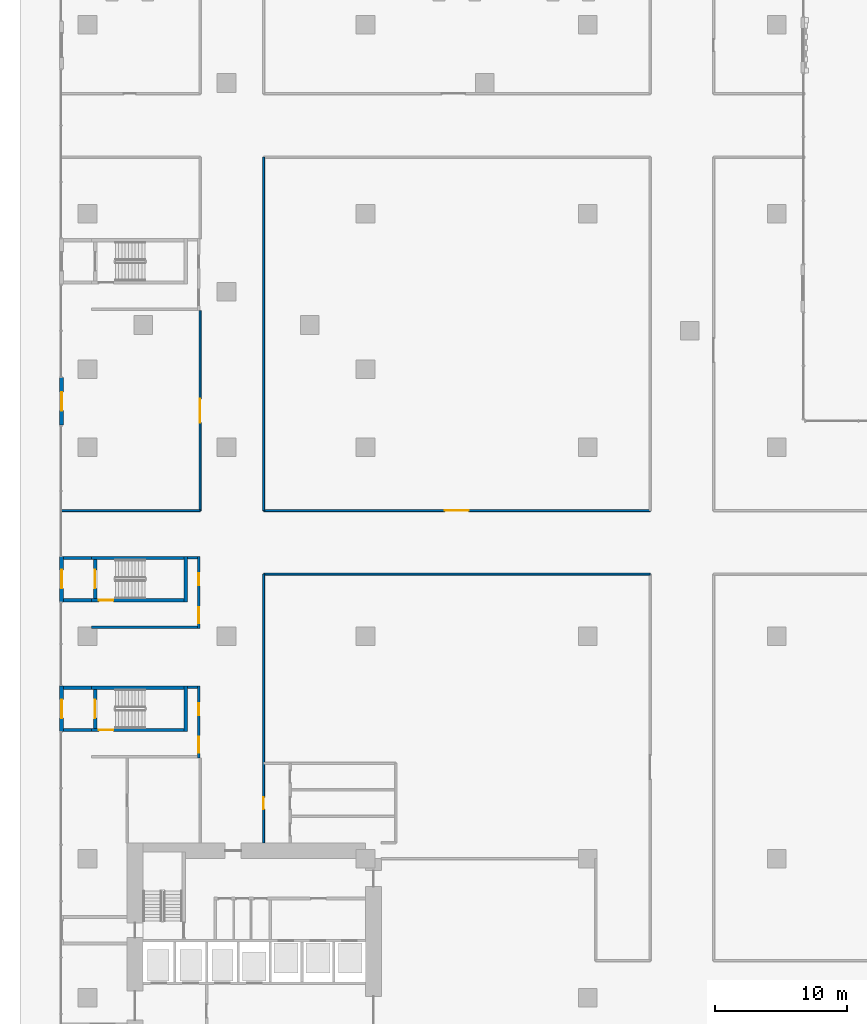
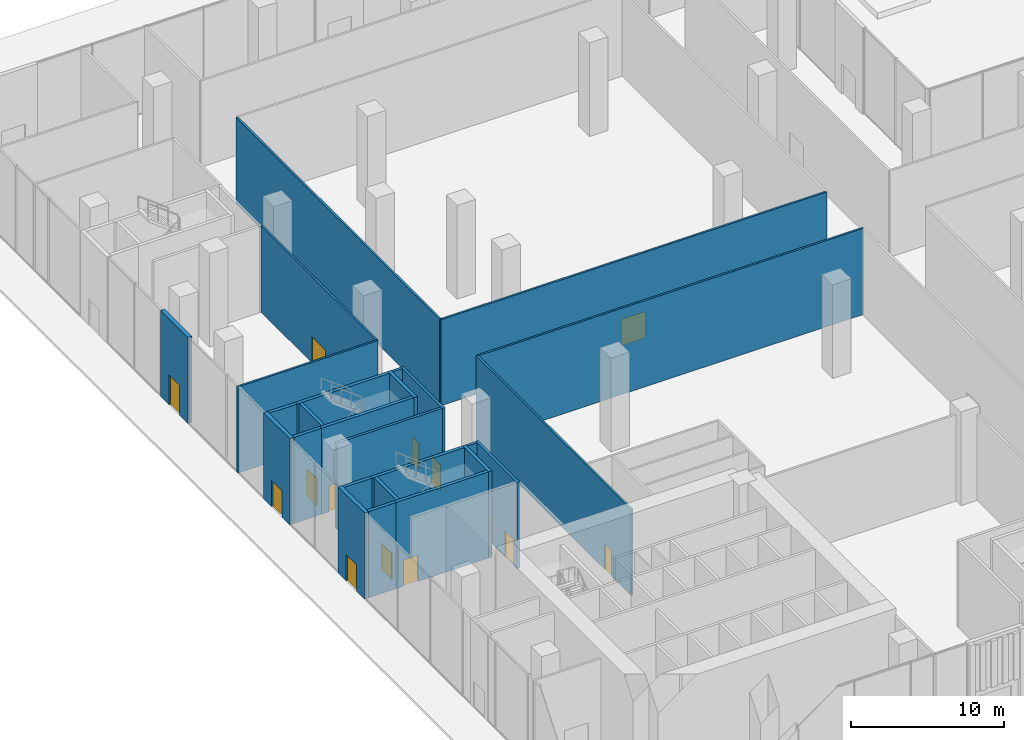
# One storey, part 16 of 26: 26 walls, 14 doors, 14 openings.
"""IFC4 building model written with IfcOpenShell, lengths in metres."""

from ifc_helpers import new_model, si_unit, direction, frame, frame_2d, origin, place, context, subcontext, project, spatial, rectangle, extrude, source, transform, mapped, material, layer, layer_set, type_object, element, fill, save


model = new_model("IFC4")

# Units and contexts
model_context = context("Model", 3, precision=1e-05, world=origin(), true_north=direction((0.0, 1.0)))
body_context = subcontext(model_context, "Body", "Model", "MODEL_VIEW")
ifc_project = project(units=[si_unit("LENGTHUNIT", "METRE"), si_unit("AREAUNIT", "SQUARE_METRE"), si_unit("VOLUMEUNIT", "CUBIC_METRE"), si_unit("PLANEANGLEUNIT", "RADIAN"), si_unit("MASSUNIT", "GRAM", prefix="KILO")], contexts=[model_context])

# Site, building, storey
site_placement = place(None, origin())
site = spatial("IfcSite", under=ifc_project, at=site_placement, CompositionType="ELEMENT")
building_placement = place(site_placement, origin())
building = spatial("IfcBuilding", under=site, at=building_placement, Name="Aurelian Terraces", CompositionType="ELEMENT")
storey_placement = place(building_placement, origin())
storey = spatial("IfcBuildingStorey", under=building, at=storey_placement, Name="L00", CompositionType="ELEMENT", Elevation=0.0)

# Walls
ifc_material_1 = material(Name="Gypsum board on steel studs", Category="steel")
ifc_layer_1 = layer(ifc_material_1, 0.15)
ifc_layer_set_1 = layer_set([ifc_layer_1], Name="Special partition 150")
wall_type_1 = type_object("IfcWallType", Name="Special partition 150", PredefinedType="PARTITIONING", material=ifc_layer_set_1)
wall_1_placement = place(storey_placement, frame((13.3, 42.5, 0.0), z_axis=(0.0, 0.0, 1.0), x_axis=(1.0, 0.0, 0.0)))
element("IfcWall", 1, at=wall_1_placement, inside=storey, type_object=wall_type_1, Name="L00 partition W13", PredefinedType="PARTITIONING", context=body_context, shape_type="SweptSolid", body=[
    extrude(rectangle(XDim=29.2, YDim=0.15, at=frame_2d((14.6, 0.0))), origin(), (0.0, 0.0, 1.0), 6.9),
])
wall_2_placement = place(storey_placement, frame((-2.1, 47.3, 0.0), z_axis=(0.0, 0.0, 1.0), x_axis=(1.0, 0.0, 0.0)))
element("IfcWall", 2, at=wall_2_placement, inside=storey, type_object=wall_type_1, Name="L00 partition W16", PredefinedType="PARTITIONING", context=body_context, shape_type="SweptSolid", body=[
    extrude(rectangle(XDim=10.6, YDim=0.15, at=frame_2d((5.3, 0.0))), origin(), (0.0, 0.0, 1.0), 6.9),
])

# Wall, opening, door
wall_3_placement = place(storey_placement, frame((8.5, 47.3, 0.0), z_axis=(0.0, 0.0, 1.0), x_axis=(0.0, 1.0, 0.0)))
wall_3 = element("IfcWall", 3, at=wall_3_placement, inside=storey, type_object=wall_type_1, Name="L00 partition W27", PredefinedType="PARTITIONING", context=body_context, shape_type="SweptSolid", body=[
    extrude(rectangle(XDim=15.1, YDim=0.15, at=frame_2d((7.55, 0.0))), origin(), (0.0, 0.0, 1.0), 6.9),
])
shared_shape_1 = source(origin(), body_context, "Body", "SweptSolid", [
    extrude(rectangle(XDim=1.8, YDim=2.1, at=frame_2d((0.9, 1.05))), frame((0.0, 0.085, 0.0), z_axis=(0.0, -1.0, 0.0), x_axis=(1.0, 0.0, 0.0)), (0.0, 0.0, 1.0), 0.17),
])
opening_1_placement = place(wall_3_placement, frame((6.65, 0.0, 0.0)))
opening_1 = element("IfcOpeningElement", 4, at=opening_1_placement, cuts=wall_3, Name="Opening 70307", PredefinedType="OPENING", context=body_context, shape_type="MappedRepresentation", body=[
    mapped(shared_shape_1, transform((0.0, 0.0, 0.0), scale=1.0)),
])
ifc_material_2 = material(Name="Timber door leaf", Category="wood")
door_type_1 = type_object("IfcDoorType", Name="Special double door 1800x2100", OperationType="DOUBLE_DOOR_SINGLE_SWING", PredefinedType="DOOR", material=ifc_material_2)
shared_shape_2 = source(origin(), body_context, "Body", "SweptSolid", [
    extrude(rectangle(XDim=1.8, YDim=2.1, at=frame_2d((0.9, 1.05))), frame((0.0, 0.025, 0.0), z_axis=(0.0, -1.0, 0.0), x_axis=(1.0, 0.0, 0.0)), (0.0, 0.0, 1.0), 0.05),
])
door_1_placement = place(opening_1_placement, origin())
door_1 = element("IfcDoor", 5, at=door_1_placement, inside=storey, type_object=door_type_1, Name="Door 70307", OperationType="DOUBLE_DOOR_SINGLE_SWING", OverallHeight=2.1, OverallWidth=1.8, PredefinedType="DOOR", context=body_context, shape_type="MappedRepresentation", body=[
    mapped(shared_shape_2, transform((0.0, 0.0, 0.0), scale=1.0)),
])
fill(opening_1, door_1)

wall_4_placement = place(storey_placement, frame((13.3, 22.2, 0.0), z_axis=(0.0, 0.0, 1.0), x_axis=(0.0, 1.0, 0.0)))
wall_4 = element("IfcWall", 6, at=wall_4_placement, inside=storey, type_object=wall_type_1, Name="L00 partition W30", PredefinedType="PARTITIONING", context=body_context, shape_type="SweptSolid", body=[
    extrude(rectangle(XDim=20.3, YDim=0.15, at=frame_2d((10.15, 0.0))), origin(), (0.0, 0.0, 1.0), 6.9),
])
shared_shape_3 = source(origin(), body_context, "Body", "SweptSolid", [
    extrude(rectangle(XDim=0.9, YDim=2.1, at=frame_2d((0.45, 1.05))), frame((0.0, 0.085, 0.0), z_axis=(0.0, -1.0, 0.0), x_axis=(1.0, 0.0, 0.0)), (0.0, 0.0, 1.0), 0.17),
])
opening_2_placement = place(wall_4_placement, frame((2.55, 0.0, 0.0)))
opening_2 = element("IfcOpeningElement", 7, at=opening_2_placement, cuts=wall_4, Name="Opening 70308", PredefinedType="OPENING", context=body_context, shape_type="MappedRepresentation", body=[
    mapped(shared_shape_3, transform((0.0, 0.0, 0.0), scale=1.0)),
])
door_type_2 = type_object("IfcDoorType", Name="Special door 900x2100", OperationType="SINGLE_SWING_LEFT", PredefinedType="DOOR", material=ifc_material_2)
shared_shape_4 = source(origin(), body_context, "Body", "SweptSolid", [
    extrude(rectangle(XDim=0.9, YDim=2.1, at=frame_2d((0.45, 1.05))), frame((0.0, 0.025, 0.0), z_axis=(0.0, -1.0, 0.0), x_axis=(1.0, 0.0, 0.0)), (0.0, 0.0, 1.0), 0.05),
])
door_2_placement = place(opening_2_placement, origin())
door_2 = element("IfcDoor", 8, at=door_2_placement, inside=storey, type_object=door_type_2, Name="Door 70308", OperationType="SINGLE_SWING_LEFT", OverallHeight=2.1, OverallWidth=0.9, PredefinedType="DOOR", context=body_context, shape_type="MappedRepresentation", body=[
    mapped(shared_shape_4, transform((0.0, 0.0, 0.0), scale=1.0)),
])
fill(opening_2, door_2)

ifc_material_3 = material(Name="Terracotta rainscreen cladding", Category="masonry")
ifc_layer_2 = layer(ifc_material_3, 0.3)
ifc_layer_set_2 = layer_set([ifc_layer_2], Name="EW-300")
wall_type_2 = type_object("IfcWallType", Name="EW-300", PredefinedType="STANDARD", material=ifc_layer_set_2)
shared_shape_5 = source(origin(), body_context, "Body", "SweptSolid", [
    extrude(rectangle(XDim=3.6, YDim=0.3, at=frame_2d((1.8, 0.0))), origin(), (0.0, 0.0, 1.0), 6.9),
])
wall_5_placement = place(storey_placement, frame((-1.95, 57.35, 0.0), z_axis=(0.0, 0.0, 1.0), x_axis=(0.0, -1.0, 0.0)))
wall_5 = element("IfcWall", 9, at=wall_5_placement, inside=storey, type_object=wall_type_2, Name="Entrance wall L00 F06", PredefinedType="STANDARD", context=body_context, shape_type="MappedRepresentation", body=[
    mapped(shared_shape_5, transform((0.0, 0.0, 0.0), scale=1.0)),
])
shared_shape_6 = source(origin(), body_context, "Body", "SweptSolid", [
    extrude(rectangle(XDim=1.4, YDim=2.4, at=frame_2d((0.7, 1.2))), frame((0.0, 0.16, 0.0), z_axis=(0.0, -1.0, 0.0), x_axis=(1.0, 0.0, 0.0)), (0.0, 0.0, 1.0), 0.32),
])
opening_3_placement = place(wall_5_placement, frame((1.1, 0.0, 0.0)))
opening_3 = element("IfcOpeningElement", 10, at=opening_3_placement, cuts=wall_5, Name="Opening 80016", PredefinedType="OPENING", context=body_context, shape_type="MappedRepresentation", body=[
    mapped(shared_shape_6, transform((0.0, 0.0, 0.0), scale=1.0)),
])
ifc_material_4 = material(Name="Clear glazing", Category="glass")
door_type_3 = type_object("IfcDoorType", Name="ED-1400x2400", OperationType="DOUBLE_DOOR_SINGLE_SWING", PredefinedType="DOOR", material=ifc_material_4)
shared_shape_7 = source(origin(), body_context, "Body", "SweptSolid", [
    extrude(rectangle(XDim=1.4, YDim=2.4, at=frame_2d((0.7, 1.2))), frame((0.0, 0.025, 0.0), z_axis=(0.0, -1.0, 0.0), x_axis=(1.0, 0.0, 0.0)), (0.0, 0.0, 1.0), 0.05),
])
door_3_placement = place(opening_3_placement, origin())
door_3 = element("IfcDoor", 11, at=door_3_placement, inside=storey, type_object=door_type_3, Name="Entrance door L00 F06", OperationType="DOUBLE_DOOR_SINGLE_SWING", OverallHeight=2.4, OverallWidth=1.4, PredefinedType="DOOR", context=body_context, shape_type="MappedRepresentation", body=[
    mapped(shared_shape_7, transform((0.0, 0.0, 0.0), scale=1.0)),
])
fill(opening_3, door_3)

ifc_material_5 = material(Name="Concrete fc' 40 MPa", Category="concrete")
ifc_layer_3 = layer(ifc_material_5, 0.25)
ifc_layer_set_3 = layer_set([ifc_layer_3], Name="Stair enclosure wall 250")
wall_type_3 = type_object("IfcWallType", Name="Stair enclosure wall 250", PredefinedType="SOLIDWALL", material=ifc_layer_set_3)
shared_shape_8 = source(origin(), body_context, "Body", "SweptSolid", [
    extrude(rectangle(XDim=7.0, YDim=0.25, at=frame_2d((3.5, 0.0))), origin(), (0.0, 0.0, 1.0), 6.9),
])
wall_6_placement = place(storey_placement, frame((0.3, 40.525, 0.0), z_axis=(0.0, 0.0, 1.0), x_axis=(1.0, 0.0, 0.0)))
wall_6 = element("IfcWall", 12, at=wall_6_placement, inside=storey, type_object=wall_type_3, Name="L00 core wall ST-S3-W", PredefinedType="SOLIDWALL", context=body_context, shape_type="MappedRepresentation", body=[
    mapped(shared_shape_8, transform((0.0, 0.0, 0.0), scale=1.0)),
])
shared_shape_9 = source(origin(), body_context, "Body", "SweptSolid", [
    extrude(rectangle(XDim=1.1, YDim=2.1, at=frame_2d((0.55, 1.05))), frame((0.0, 0.135, 0.0), z_axis=(0.0, -1.0, 0.0), x_axis=(1.0, 0.0, 0.0)), (0.0, 0.0, 1.0), 0.27),
])
opening_4_placement = place(wall_6_placement, frame((0.55, 0.0, 0.0)))
opening_4 = element("IfcOpeningElement", 13, at=opening_4_placement, cuts=wall_6, Name="Opening 60325", PredefinedType="OPENING", context=body_context, shape_type="MappedRepresentation", body=[
    mapped(shared_shape_9, transform((0.0, 0.0, 0.0), scale=1.0)),
])
ifc_material_6 = material(Name="Steel door leaf", Category="steel")
door_type_4 = type_object("IfcDoorType", Name="Core fire door 1100x2100", OperationType="SINGLE_SWING_LEFT", PredefinedType="DOOR", material=ifc_material_6)
shared_shape_10 = source(origin(), body_context, "Body", "SweptSolid", [
    extrude(rectangle(XDim=1.1, YDim=2.1, at=frame_2d((0.55, 1.05))), frame((0.0, 0.025, 0.0), z_axis=(0.0, -1.0, 0.0), x_axis=(1.0, 0.0, 0.0)), (0.0, 0.0, 1.0), 0.05),
])
door_4_placement = place(opening_4_placement, origin())
door_4 = element("IfcDoor", 14, at=door_4_placement, inside=storey, type_object=door_type_4, Name="Stair door 60325", OperationType="SINGLE_SWING_LEFT", OverallHeight=2.1, OverallWidth=1.1, PredefinedType="DOOR", context=body_context, shape_type="MappedRepresentation", body=[
    mapped(shared_shape_10, transform((0.0, 0.0, 0.0), scale=1.0)),
])
fill(opening_4, door_4)

# Wall
wall_7_placement = place(storey_placement, frame((0.3, 43.725, 0.0), z_axis=(0.0, 0.0, 1.0), x_axis=(1.0, 0.0, 0.0)))
element("IfcWall", 15, at=wall_7_placement, inside=storey, type_object=wall_type_3, Name="L00 core wall ST-S3-E", PredefinedType="SOLIDWALL", context=body_context, shape_type="MappedRepresentation", body=[
    mapped(shared_shape_8, transform((0.0, 0.0, 0.0), scale=1.0)),
])

# Wall, opening, door
wall_8_placement = place(storey_placement, frame((0.3, 30.725, 0.0), z_axis=(0.0, 0.0, 1.0), x_axis=(1.0, 0.0, 0.0)))
wall_8 = element("IfcWall", 16, at=wall_8_placement, inside=storey, type_object=wall_type_3, Name="L00 core wall ST-S4-W", PredefinedType="SOLIDWALL", context=body_context, shape_type="MappedRepresentation", body=[
    mapped(shared_shape_8, transform((0.0, 0.0, 0.0), scale=1.0)),
])
opening_5_placement = place(wall_8_placement, frame((0.55, 0.0, 0.0)))
opening_5 = element("IfcOpeningElement", 17, at=opening_5_placement, cuts=wall_8, Name="Opening 60331", PredefinedType="OPENING", context=body_context, shape_type="MappedRepresentation", body=[
    mapped(shared_shape_9, transform((0.0, 0.0, 0.0), scale=1.0)),
])
door_5_placement = place(opening_5_placement, origin())
door_5 = element("IfcDoor", 18, at=door_5_placement, inside=storey, type_object=door_type_4, Name="Stair door 60331", OperationType="SINGLE_SWING_LEFT", OverallHeight=2.1, OverallWidth=1.1, PredefinedType="DOOR", context=body_context, shape_type="MappedRepresentation", body=[
    mapped(shared_shape_10, transform((0.0, 0.0, 0.0), scale=1.0)),
])
fill(opening_5, door_5)

# Walls
wall_9_placement = place(storey_placement, frame((0.3, 33.925, 0.0), z_axis=(0.0, 0.0, 1.0), x_axis=(1.0, 0.0, 0.0)))
element("IfcWall", 19, at=wall_9_placement, inside=storey, type_object=wall_type_3, Name="L00 core wall ST-S4-E", PredefinedType="SOLIDWALL", context=body_context, shape_type="MappedRepresentation", body=[
    mapped(shared_shape_8, transform((0.0, 0.0, 0.0), scale=1.0)),
])
shared_shape_11 = source(origin(), body_context, "Body", "SweptSolid", [
    extrude(rectangle(XDim=2.1, YDim=0.25, at=frame_2d((1.05, 0.0))), origin(), (0.0, 0.0, 1.0), 6.9),
])
for number, where, z_axis, x_axis, name in (
    (20, (-1.8, 40.525, 0.0), (0.0, 0.0, 1.0), (1.0, 0.0, 0.0), "L00 core wall ST-S3-PW"),
    (21, (-1.8, 43.725, 0.0), (0.0, 0.0, 1.0), (1.0, 0.0, 0.0), "L00 core wall ST-S3-PE"),
    (22, (-1.8, 30.725, 0.0), (0.0, 0.0, 1.0), (1.0, 0.0, 0.0), "L00 core wall ST-S4-PW"),
    (23, (-1.8, 33.925, 0.0), (0.0, 0.0, 1.0), (1.0, 0.0, 0.0), "L00 core wall ST-S4-PE"),
):
    element("IfcWall", number, at=place(storey_placement, frame(where, z_axis=z_axis, x_axis=x_axis)), inside=storey, type_object=wall_type_3, Name=name, PredefinedType="SOLIDWALL", context=body_context, shape_type="MappedRepresentation", body=[
        mapped(shared_shape_11, transform((0.0, 0.0, 0.0), scale=1.0)),
    ])
shared_shape_12 = source(origin(), body_context, "Body", "SweptSolid", [
    extrude(rectangle(XDim=3.45, YDim=0.25, at=frame_2d((1.725, 0.0))), origin(), (0.0, 0.0, 1.0), 6.9),
])
for number, where, z_axis, x_axis, name in (
    (24, (7.425, 40.4, 0.0), (0.0, 0.0, 1.0), (0.0, 1.0, 0.0), "L00 core wall ST-S3-N"),
    (25, (7.425, 30.6, 0.0), (0.0, 0.0, 1.0), (0.0, 1.0, 0.0), "L00 core wall ST-S4-N"),
):
    element("IfcWall", number, at=place(storey_placement, frame(where, z_axis=z_axis, x_axis=x_axis)), inside=storey, type_object=wall_type_3, Name=name, PredefinedType="SOLIDWALL", context=body_context, shape_type="MappedRepresentation", body=[
        mapped(shared_shape_12, transform((0.0, 0.0, 0.0), scale=1.0)),
    ])

# Wall, opening, door
shared_shape_13 = source(origin(), body_context, "Body", "SweptSolid", [
    extrude(rectangle(XDim=2.95, YDim=0.25, at=frame_2d((1.475, 0.0))), origin(), (0.0, 0.0, 1.0), 6.9),
])
wall_10_placement = place(storey_placement, frame((0.575, 43.6, 0.0), z_axis=(0.0, 0.0, 1.0), x_axis=(0.0, -1.0, 0.0)))
wall_10 = element("IfcWall", 26, at=wall_10_placement, inside=storey, type_object=wall_type_3, Name="L00 core wall ST-S3-SS", PredefinedType="SOLIDWALL", context=body_context, shape_type="MappedRepresentation", body=[
    mapped(shared_shape_13, transform((0.0, 0.0, 0.0), scale=1.0)),
])
shared_shape_14 = source(origin(), body_context, "Body", "SweptSolid", [
    extrude(rectangle(XDim=1.4, YDim=2.1, at=frame_2d((0.7, 1.05))), frame((0.0, 0.135, 0.0), z_axis=(0.0, -1.0, 0.0), x_axis=(1.0, 0.0, 0.0)), (0.0, 0.0, 1.0), 0.27),
])
opening_6_placement = place(wall_10_placement, frame((0.775, 0.0, 0.0)))
opening_6 = element("IfcOpeningElement", 27, at=opening_6_placement, cuts=wall_10, Name="Opening 60326", PredefinedType="OPENING", context=body_context, shape_type="MappedRepresentation", body=[
    mapped(shared_shape_14, transform((0.0, 0.0, 0.0), scale=1.0)),
])
door_type_5 = type_object("IfcDoorType", Name="Core exit door 1400x2100", OperationType="DOUBLE_DOOR_SINGLE_SWING", PredefinedType="DOOR", material=ifc_material_6)
shared_shape_15 = source(origin(), body_context, "Body", "SweptSolid", [
    extrude(rectangle(XDim=1.4, YDim=2.1, at=frame_2d((0.7, 1.05))), frame((0.0, 0.025, 0.0), z_axis=(0.0, -1.0, 0.0), x_axis=(1.0, 0.0, 0.0)), (0.0, 0.0, 1.0), 0.05),
])
door_6_placement = place(opening_6_placement, origin())
door_6 = element("IfcDoor", 28, at=door_6_placement, inside=storey, type_object=door_type_5, Name="Exit door 60326", OperationType="DOUBLE_DOOR_SINGLE_SWING", OverallHeight=2.1, OverallWidth=1.4, PredefinedType="DOOR", context=body_context, shape_type="MappedRepresentation", body=[
    mapped(shared_shape_15, transform((0.0, 0.0, 0.0), scale=1.0)),
])
fill(opening_6, door_6)

wall_11_placement = place(storey_placement, frame((0.575, 33.8, 0.0), z_axis=(0.0, 0.0, 1.0), x_axis=(0.0, -1.0, 0.0)))
wall_11 = element("IfcWall", 29, at=wall_11_placement, inside=storey, type_object=wall_type_3, Name="L00 core wall ST-S4-SS", PredefinedType="SOLIDWALL", context=body_context, shape_type="MappedRepresentation", body=[
    mapped(shared_shape_13, transform((0.0, 0.0, 0.0), scale=1.0)),
])
opening_7_placement = place(wall_11_placement, frame((0.775, 0.0, 0.0)))
opening_7 = element("IfcOpeningElement", 30, at=opening_7_placement, cuts=wall_11, Name="Opening 60332", PredefinedType="OPENING", context=body_context, shape_type="MappedRepresentation", body=[
    mapped(shared_shape_14, transform((0.0, 0.0, 0.0), scale=1.0)),
])
door_7_placement = place(opening_7_placement, origin())
door_7 = element("IfcDoor", 31, at=door_7_placement, inside=storey, type_object=door_type_5, Name="Exit door 60332", OperationType="DOUBLE_DOOR_SINGLE_SWING", OverallHeight=2.1, OverallWidth=1.4, PredefinedType="DOOR", context=body_context, shape_type="MappedRepresentation", body=[
    mapped(shared_shape_15, transform((0.0, 0.0, 0.0), scale=1.0)),
])
fill(opening_7, door_7)

# Wall
ifc_layer_4 = layer(ifc_material_1, 0.2)
ifc_layer_set_4 = layer_set([ifc_layer_4], Name="Core partition 200")
wall_type_4 = type_object("IfcWallType", Name="Core partition 200", PredefinedType="PARTITIONING", material=ifc_layer_set_4)
shared_shape_16 = source(origin(), body_context, "Body", "SweptSolid", [
    extrude(rectangle(XDim=8.0, YDim=0.2, at=frame_2d((4.0, 0.0))), origin(), (0.0, 0.0, 1.0), 6.9),
])
wall_12_placement = place(storey_placement, frame((0.3, 38.5, 0.0), z_axis=(0.0, 0.0, 1.0), x_axis=(1.0, 0.0, 0.0)))
element("IfcWall", 32, at=wall_12_placement, inside=storey, type_object=wall_type_4, Name="L00 core wall ST-S3-VW", PredefinedType="PARTITIONING", context=body_context, shape_type="MappedRepresentation", body=[
    mapped(shared_shape_16, transform((0.0, 0.0, 0.0), scale=1.0)),
])

# Wall, openings, doors
shared_shape_17 = source(origin(), body_context, "Body", "SweptSolid", [
    extrude(rectangle(XDim=5.45, YDim=0.2, at=frame_2d((2.725, 0.0))), origin(), (0.0, 0.0, 1.0), 6.9),
])
wall_13_placement = place(storey_placement, frame((8.4, 43.85, 0.0), z_axis=(0.0, 0.0, 1.0), x_axis=(0.0, -1.0, 0.0)))
wall_13 = element("IfcWall", 33, at=wall_13_placement, inside=storey, type_object=wall_type_4, Name="L00 core wall ST-S3-BN", PredefinedType="PARTITIONING", context=body_context, shape_type="MappedRepresentation", body=[
    mapped(shared_shape_17, transform((0.0, 0.0, 0.0), scale=1.0)),
])
shared_shape_18 = source(origin(), body_context, "Body", "SweptSolid", [
    extrude(rectangle(XDim=1.2, YDim=2.1, at=frame_2d((0.6, 1.05))), frame((0.0, 0.11, 0.0), z_axis=(0.0, -1.0, 0.0), x_axis=(1.0, 0.0, 0.0)), (0.0, 0.0, 1.0), 0.22),
])
opening_8_placement = place(wall_13_placement, frame((3.85, 0.0, 0.0)))
opening_8 = element("IfcOpeningElement", 34, at=opening_8_placement, cuts=wall_13, Name="Opening 60327", PredefinedType="OPENING", context=body_context, shape_type="MappedRepresentation", body=[
    mapped(shared_shape_18, transform((0.0, 0.0, 0.0), scale=1.0)),
])
shared_shape_19 = source(origin(), body_context, "Body", "SweptSolid", [
    extrude(rectangle(XDim=0.9, YDim=2.1, at=frame_2d((0.45, 1.05))), frame((0.0, 0.11, 0.0), z_axis=(0.0, -1.0, 0.0), x_axis=(1.0, 0.0, 0.0)), (0.0, 0.0, 1.0), 0.22),
])
opening_9_placement = place(wall_13_placement, frame((1.3, 0.0, 0.0)))
opening_9 = element("IfcOpeningElement", 35, at=opening_9_placement, cuts=wall_13, Name="Opening 60328", PredefinedType="OPENING", context=body_context, shape_type="MappedRepresentation", body=[
    mapped(shared_shape_19, transform((0.0, 0.0, 0.0), scale=1.0)),
])
door_type_6 = type_object("IfcDoorType", Name="Core riser door 900x2100 right", OperationType="SINGLE_SWING_RIGHT", PredefinedType="DOOR", material=ifc_material_6)
door_8_placement = place(opening_9_placement, origin())
door_8 = element("IfcDoor", 36, at=door_8_placement, inside=storey, type_object=door_type_6, Name="Riser door 60328", OperationType="SINGLE_SWING_RIGHT", OverallHeight=2.1, OverallWidth=0.9, PredefinedType="DOOR", context=body_context, shape_type="MappedRepresentation", body=[
    mapped(shared_shape_4, transform((0.0, 0.0, 0.0), scale=1.0)),
])
fill(opening_9, door_8)
door_type_7 = type_object("IfcDoorType", Name="Core fire door 1200x2100", OperationType="SINGLE_SWING_LEFT", PredefinedType="DOOR", material=ifc_material_6)
shared_shape_20 = source(origin(), body_context, "Body", "SweptSolid", [
    extrude(rectangle(XDim=1.2, YDim=2.1, at=frame_2d((0.6, 1.05))), frame((0.0, 0.025, 0.0), z_axis=(0.0, -1.0, 0.0), x_axis=(1.0, 0.0, 0.0)), (0.0, 0.0, 1.0), 0.05),
])
door_9_placement = place(opening_8_placement, origin())
door_9 = element("IfcDoor", 37, at=door_9_placement, inside=storey, type_object=door_type_7, Name="Vestibule door 60327", OperationType="SINGLE_SWING_LEFT", OverallHeight=2.1, OverallWidth=1.2, PredefinedType="DOOR", context=body_context, shape_type="MappedRepresentation", body=[
    mapped(shared_shape_20, transform((0.0, 0.0, 0.0), scale=1.0)),
])
fill(opening_8, door_9)

wall_14_placement = place(storey_placement, frame((8.4, 34.05, 0.0), z_axis=(0.0, 0.0, 1.0), x_axis=(0.0, -1.0, 0.0)))
wall_14 = element("IfcWall", 38, at=wall_14_placement, inside=storey, type_object=wall_type_4, Name="L00 core wall ST-S4-BN", PredefinedType="PARTITIONING", context=body_context, shape_type="MappedRepresentation", body=[
    mapped(shared_shape_17, transform((0.0, 0.0, 0.0), scale=1.0)),
])
opening_10_placement = place(wall_14_placement, frame((3.85, 0.0, 0.0)))
opening_10 = element("IfcOpeningElement", 39, at=opening_10_placement, cuts=wall_14, Name="Opening 60333", PredefinedType="OPENING", context=body_context, shape_type="MappedRepresentation", body=[
    mapped(shared_shape_18, transform((0.0, 0.0, 0.0), scale=1.0)),
])
opening_11_placement = place(wall_14_placement, frame((1.3, 0.0, 0.0)))
opening_11 = element("IfcOpeningElement", 40, at=opening_11_placement, cuts=wall_14, Name="Opening 60334", PredefinedType="OPENING", context=body_context, shape_type="MappedRepresentation", body=[
    mapped(shared_shape_19, transform((0.0, 0.0, 0.0), scale=1.0)),
])
door_10_placement = place(opening_11_placement, origin())
door_10 = element("IfcDoor", 41, at=door_10_placement, inside=storey, type_object=door_type_6, Name="Riser door 60334", OperationType="SINGLE_SWING_RIGHT", OverallHeight=2.1, OverallWidth=0.9, PredefinedType="DOOR", context=body_context, shape_type="MappedRepresentation", body=[
    mapped(shared_shape_4, transform((0.0, 0.0, 0.0), scale=1.0)),
])
fill(opening_11, door_10)
door_11_placement = place(opening_10_placement, origin())
door_11 = element("IfcDoor", 42, at=door_11_placement, inside=storey, type_object=door_type_7, Name="Vestibule door 60333", OperationType="SINGLE_SWING_LEFT", OverallHeight=2.1, OverallWidth=1.2, PredefinedType="DOOR", context=body_context, shape_type="MappedRepresentation", body=[
    mapped(shared_shape_20, transform((0.0, 0.0, 0.0), scale=1.0)),
])
fill(opening_10, door_11)

# Walls
shared_shape_21 = source(origin(), body_context, "Body", "SweptSolid", [
    extrude(rectangle(XDim=0.75, YDim=0.2, at=frame_2d((0.375, 0.0))), origin(), (0.0, 0.0, 1.0), 6.9),
])
for number, where, z_axis, x_axis, name in (
    (43, (7.55, 43.75, 0.0), (0.0, 0.0, 1.0), (1.0, 0.0, 0.0), "L00 core wall ST-S3-RE"),
    (44, (7.55, 33.95, 0.0), (0.0, 0.0, 1.0), (1.0, 0.0, 0.0), "L00 core wall ST-S4-RE"),
):
    element("IfcWall", number, at=place(storey_placement, frame(where, z_axis=z_axis, x_axis=x_axis)), inside=storey, type_object=wall_type_4, Name=name, PredefinedType="PARTITIONING", context=body_context, shape_type="MappedRepresentation", body=[
        mapped(shared_shape_21, transform((0.0, 0.0, 0.0), scale=1.0)),
    ])

# Wall, opening, door
ifc_layer_5 = layer(ifc_material_1, 0.3)
ifc_layer_set_5 = layer_set([ifc_layer_5], Name="Core partition 300")
wall_type_5 = type_object("IfcWallType", Name="Core partition 300", PredefinedType="PARTITIONING", material=ifc_layer_set_5)
shared_shape_22 = source(origin(), body_context, "Body", "SweptSolid", [
    extrude(rectangle(XDim=3.45, YDim=0.3, at=frame_2d((1.725, 0.0))), origin(), (0.0, 0.0, 1.0), 6.9),
])
wall_15_placement = place(storey_placement, frame((-1.95, 40.4, 0.0), z_axis=(0.0, 0.0, 1.0), x_axis=(0.0, 1.0, 0.0)))
wall_15 = element("IfcWall", 45, at=wall_15_placement, inside=storey, type_object=wall_type_5, Name="L00 core wall ST-S3-PO", PredefinedType="PARTITIONING", context=body_context, shape_type="MappedRepresentation", body=[
    mapped(shared_shape_22, transform((0.0, 0.0, 0.0), scale=1.0)),
])
shared_shape_23 = source(origin(), body_context, "Body", "SweptSolid", [
    extrude(rectangle(XDim=1.4, YDim=2.1, at=frame_2d((0.7, 1.05))), frame((0.0, 0.16, 0.0), z_axis=(0.0, -1.0, 0.0), x_axis=(1.0, 0.0, 0.0)), (0.0, 0.0, 1.0), 0.32),
])
opening_12_placement = place(wall_15_placement, frame((1.025, 0.0, 0.0)))
opening_12 = element("IfcOpeningElement", 46, at=opening_12_placement, cuts=wall_15, Name="Opening 60329", PredefinedType="OPENING", context=body_context, shape_type="MappedRepresentation", body=[
    mapped(shared_shape_23, transform((0.0, 0.0, 0.0), scale=1.0)),
])
door_12_placement = place(opening_12_placement, origin())
door_12 = element("IfcDoor", 47, at=door_12_placement, inside=storey, type_object=door_type_5, Name="Exit door 60329", OperationType="DOUBLE_DOOR_SINGLE_SWING", OverallHeight=2.1, OverallWidth=1.4, PredefinedType="DOOR", context=body_context, shape_type="MappedRepresentation", body=[
    mapped(shared_shape_15, transform((0.0, 0.0, 0.0), scale=1.0)),
])
fill(opening_12, door_12)

wall_16_placement = place(storey_placement, frame((-1.95, 30.6, 0.0), z_axis=(0.0, 0.0, 1.0), x_axis=(0.0, 1.0, 0.0)))
wall_16 = element("IfcWall", 48, at=wall_16_placement, inside=storey, type_object=wall_type_5, Name="L00 core wall ST-S4-PO", PredefinedType="PARTITIONING", context=body_context, shape_type="MappedRepresentation", body=[
    mapped(shared_shape_22, transform((0.0, 0.0, 0.0), scale=1.0)),
])
opening_13_placement = place(wall_16_placement, frame((1.025, 0.0, 0.0)))
opening_13 = element("IfcOpeningElement", 49, at=opening_13_placement, cuts=wall_16, Name="Opening 60335", PredefinedType="OPENING", context=body_context, shape_type="MappedRepresentation", body=[
    mapped(shared_shape_23, transform((0.0, 0.0, 0.0), scale=1.0)),
])
door_13_placement = place(opening_13_placement, origin())
door_13 = element("IfcDoor", 50, at=door_13_placement, inside=storey, type_object=door_type_5, Name="Exit door 60335", OperationType="DOUBLE_DOOR_SINGLE_SWING", OverallHeight=2.1, OverallWidth=1.4, PredefinedType="DOOR", context=body_context, shape_type="MappedRepresentation", body=[
    mapped(shared_shape_15, transform((0.0, 0.0, 0.0), scale=1.0)),
])
fill(opening_13, door_13)

# Wall
shared_shape_24 = source(origin(), body_context, "Body", "SweptSolid", [
    extrude(rectangle(XDim=26.7, YDim=0.15, at=frame_2d((13.35, 0.0))), origin(), (0.0, 0.0, 1.0), 6.9),
])
wall_17_placement = place(storey_placement, frame((13.3, 47.3, 0.0), z_axis=(0.0, 0.0, 1.0), x_axis=(0.0, 1.0, 0.0)))
element("IfcWall", 51, at=wall_17_placement, inside=storey, type_object=wall_type_1, Name="L00 partition W31", PredefinedType="PARTITIONING", context=body_context, shape_type="MappedRepresentation", body=[
    mapped(shared_shape_24, transform((0.0, 0.0, 0.0), scale=1.0)),
])

# Wall, opening, door
shared_shape_25 = source(origin(), body_context, "Body", "SweptSolid", [
    extrude(rectangle(XDim=29.2, YDim=0.15, at=frame_2d((14.6, 0.0))), origin(), (0.0, 0.0, 1.0), 6.9),
])
wall_18_placement = place(storey_placement, frame((13.3, 47.3, 0.0), z_axis=(0.0, 0.0, 1.0), x_axis=(1.0, 0.0, 0.0)))
wall_18 = element("IfcWall", 52, at=wall_18_placement, inside=storey, type_object=wall_type_1, Name="L00 partition W17", PredefinedType="PARTITIONING", context=body_context, shape_type="MappedRepresentation", body=[
    mapped(shared_shape_25, transform((0.0, 0.0, 0.0), scale=1.0)),
])
opening_14_placement = place(wall_18_placement, frame((13.7, 0.0, 0.0)))
opening_14 = element("IfcOpeningElement", 53, at=opening_14_placement, cuts=wall_18, Name="Opening 70303", PredefinedType="OPENING", context=body_context, shape_type="MappedRepresentation", body=[
    mapped(shared_shape_1, transform((0.0, 0.0, 0.0), scale=1.0)),
])
door_14_placement = place(opening_14_placement, origin())
door_14 = element("IfcDoor", 54, at=door_14_placement, inside=storey, type_object=door_type_1, Name="Door 70303", OperationType="DOUBLE_DOOR_SINGLE_SWING", OverallHeight=2.1, OverallWidth=1.8, PredefinedType="DOOR", context=body_context, shape_type="MappedRepresentation", body=[
    mapped(shared_shape_2, transform((0.0, 0.0, 0.0), scale=1.0)),
])
fill(opening_14, door_14)

save(model, "model.ifc")
